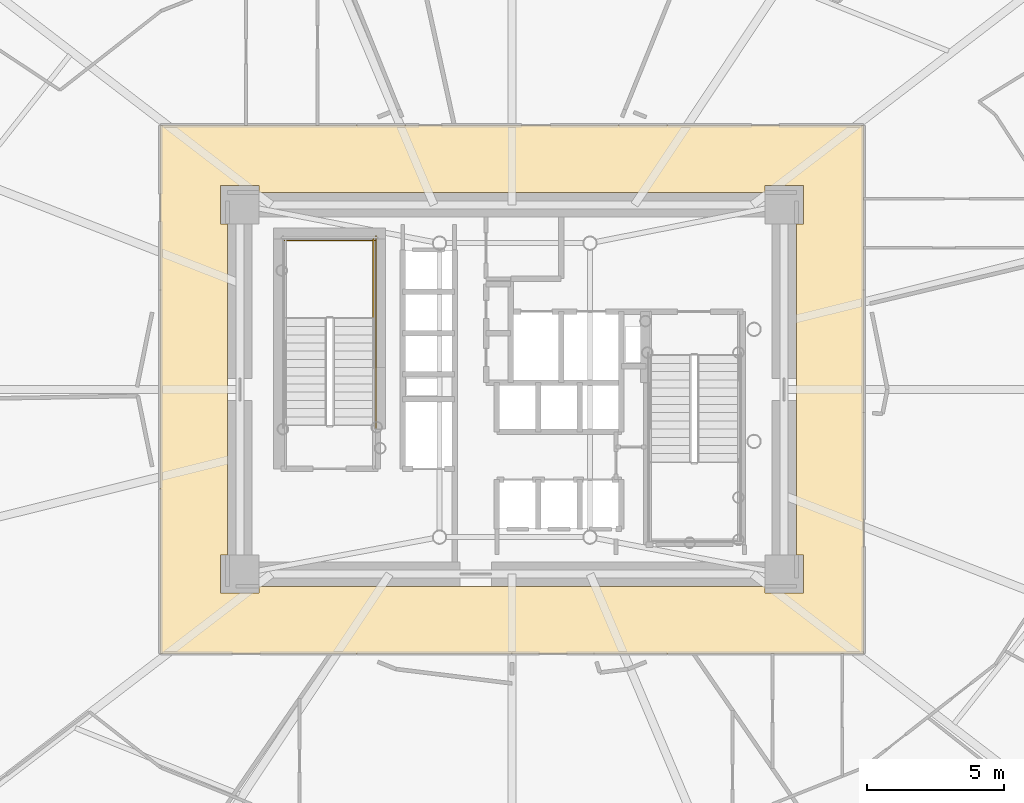
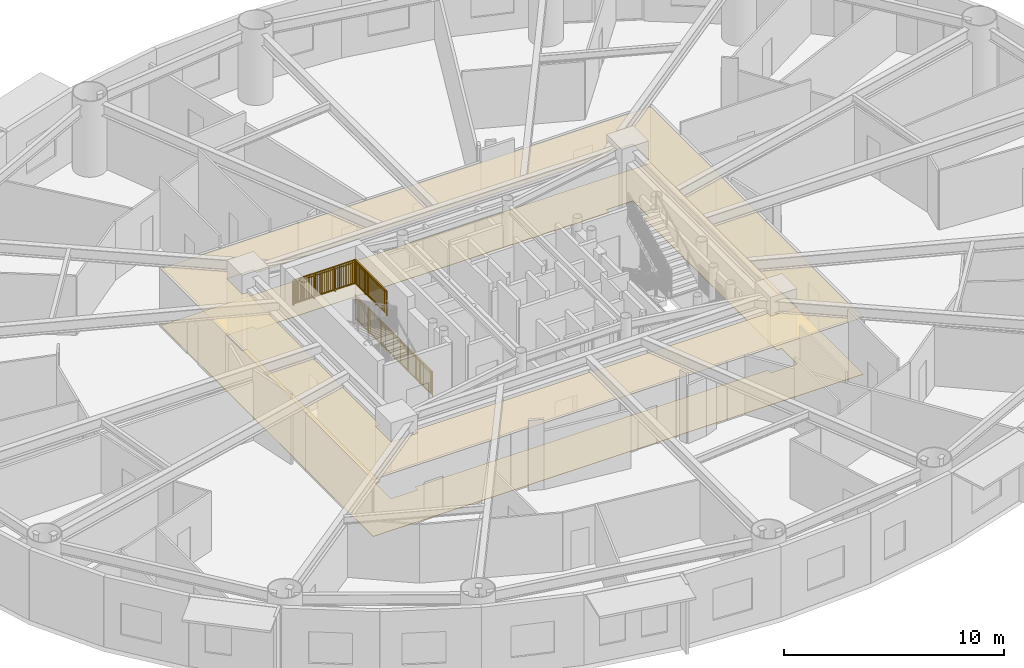
# One storey, part 17 of 21: 3 railings, 2 coverings.
"""IFC4 building model written with IfcOpenShell, lengths in metres."""

from ifc_helpers import new_model, si_unit, direction, frame, origin, origin_2d, place, context, subcontext, project, spatial, polyline, rectangle, outline, extrude, source, transform, mapped, material, layer, layer_set, type_object, element, save


model = new_model("IFC4")

# Units and contexts
model_context = context("Model", 3, precision=1e-05, world=origin(), true_north=direction((0.0, 1.0)))
body_context = subcontext(model_context, "Body", "Model", "MODEL_VIEW")
ifc_project = project(units=[si_unit("LENGTHUNIT", "METRE"), si_unit("AREAUNIT", "SQUARE_METRE"), si_unit("VOLUMEUNIT", "CUBIC_METRE"), si_unit("PLANEANGLEUNIT", "RADIAN"), si_unit("MASSUNIT", "GRAM", prefix="KILO")], contexts=[model_context])

# Site, building, storey
site_placement = place(None, origin())
site = spatial("IfcSite", under=ifc_project, at=site_placement, CompositionType="ELEMENT")
building_placement = place(site_placement, origin())
building = spatial("IfcBuilding", under=site, at=building_placement, Name="Linh Dai School and Residence Tower", CompositionType="ELEMENT")
storey_placement = place(building_placement, frame((0.0, 0.0, 82.800048828125)))
storey = spatial("IfcBuildingStorey", under=building, at=storey_placement, Name="L19", CompositionType="ELEMENT", Elevation=82.800048828125)

# Coverings
ifc_material_1 = material(Name="Mineral Fibre Acoustic Suspended Ceiling", Category="masonry")
ifc_layer_1 = layer(ifc_material_1, 0.02001953125)
ifc_layer_set_1 = layer_set([ifc_layer_1], Name="Mineral Fibre Acoustic Suspended Ceiling")
covering_type_1 = type_object("IfcCoveringType", Name="COV-CEIL-AC-20", PredefinedType="CEILING", material=ifc_layer_set_1)
covering_1_placement = place(storey_placement, frame((0.0, 0.0, 3.14990234375)))
element("IfcCovering", 1, at=covering_1_placement, inside=storey, type_object=covering_type_1, Name="L19 Residential Floor Corridor Suspended Ceiling", PredefinedType="CEILING", context=body_context, shape_type="SweptSolid", body=[
    extrude(outline(polyline([(48.85009765625, 36.64990234375), (48.85009765625, 17.35009765625), (23.14990234375, 17.35009765625), (23.14990234375, 36.64990234375), (48.85009765625, 36.64990234375)]), holes=[polyline([(26.75, 34.199951171875), (26.75, 34.449951171875), (25.35009765625, 34.449951171875), (25.35009765625, 33.050048828125), (25.60009765625, 33.050048828125), (25.60009765625, 20.949951171875), (25.35009765625, 20.949951171875), (25.35009765625, 19.550048828125), (26.75, 19.550048828125), (26.75, 19.800048828125), (45.25, 19.800048828125), (45.25, 19.550048828125), (46.64990234375, 19.550048828125), (46.64990234375, 20.949951171875), (46.39990234375, 20.949951171875), (46.39990234375, 33.050048828125), (46.64990234375, 33.050048828125), (46.64990234375, 34.449951171875), (45.25, 34.449951171875), (45.25, 34.199951171875), (26.75, 34.199951171875)])]), origin(), (0.0, 0.0, 1.0), 0.02001953125),
])
ifc_material_2 = material(Name="Polished Terrazzo Floor Finish", Category="masonry")
ifc_layer_2 = layer(ifc_material_2, 0.02490234375)
ifc_layer_set_2 = layer_set([ifc_layer_2], Name="Polished Terrazzo Floor Finish")
covering_type_2 = type_object("IfcCoveringType", Name="COV-FLR-TRZ-25", PredefinedType="FLOORING", material=ifc_layer_set_2)
covering_2_placement = place(storey_placement, origin())
element("IfcCovering", 2, at=covering_2_placement, inside=storey, type_object=covering_type_2, Name="L19 Residential Floor Corridor Floor Finish", PredefinedType="FLOORING", context=body_context, shape_type="SweptSolid", body=[
    extrude(outline(polyline([(48.85009765625, 36.64990234375), (48.85009765625, 17.35009765625), (23.14990234375, 17.35009765625), (23.14990234375, 36.64990234375), (48.85009765625, 36.64990234375)]), holes=[polyline([(26.75, 34.199951171875), (26.75, 34.449951171875), (25.35009765625, 34.449951171875), (25.35009765625, 33.050048828125), (25.60009765625, 33.050048828125), (25.60009765625, 20.949951171875), (25.35009765625, 20.949951171875), (25.35009765625, 19.550048828125), (26.75, 19.550048828125), (26.75, 19.800048828125), (45.25, 19.800048828125), (45.25, 19.550048828125), (46.64990234375, 19.550048828125), (46.64990234375, 20.949951171875), (46.39990234375, 20.949951171875), (46.39990234375, 33.050048828125), (46.64990234375, 33.050048828125), (46.64990234375, 34.449951171875), (45.25, 34.449951171875), (45.25, 34.199951171875), (26.75, 34.199951171875)])]), origin(), (0.0, 0.0, 1.0), 0.02001953125),
])

# Railings
ifc_material_3 = material(Name="Structural Steel S355JR", Category="steel")
railing_type = type_object("IfcRailingType", Name="RL-ST-GUARD-1400", PredefinedType="GUARDRAIL", material=ifc_material_3)
shared_shape_1 = source(origin(), body_context, "Body", "SweptSolid", [
    extrude(rectangle(XDim=0.048095703125, YDim=0.048095703125, at=origin_2d()), frame((0.0, 0.0, 1.3759765625), z_axis=(-1.0, 0.0, 0.0), x_axis=(0.0, -1.0, 0.0)), (0.0, 0.0, 1.0), 3.300048828125),
    extrude(rectangle(XDim=0.048095703125, YDim=0.048095703125, at=origin_2d()), frame((0.0, 0.0, 0.10009765625), z_axis=(-1.0, 0.0, 0.0), x_axis=(0.0, -1.0, 0.0)), (0.0, 0.0, 1.0), 3.300048828125),
    extrude(rectangle(XDim=0.030029296875, YDim=0.030029296875, at=origin_2d()), frame((0.0, 0.0, 1.239990234375), z_axis=(-1.0, 0.0, 0.0), x_axis=(0.0, -1.0, 0.0)), (0.0, 0.0, 1.0), 3.300048828125),
    extrude(rectangle(XDim=0.02001953125, YDim=0.02001953125, at=origin_2d()), frame((-0.09716796875, 0.0, 0.10009765625)), (0.0, 0.0, 1.0), 1.251708984375),
    extrude(rectangle(XDim=0.02001953125, YDim=0.02001953125, at=origin_2d()), frame((-0.194091796875, 0.0, 0.10009765625)), (0.0, 0.0, 1.0), 1.251708984375),
    extrude(rectangle(XDim=0.02001953125, YDim=0.02001953125, at=origin_2d()), frame((-0.291259765625, 0.0, 0.10009765625)), (0.0, 0.0, 1.0), 1.251708984375),
    extrude(rectangle(XDim=0.02001953125, YDim=0.02001953125, at=origin_2d()), frame((-0.38818359375, 0.0, 0.10009765625)), (0.0, 0.0, 1.0), 1.251708984375),
    extrude(rectangle(XDim=0.02001953125, YDim=0.02001953125, at=origin_2d()), frame((-0.4853515625, 0.0, 0.10009765625)), (0.0, 0.0, 1.0), 1.251708984375),
    extrude(rectangle(XDim=0.02001953125, YDim=0.02001953125, at=origin_2d()), frame((-0.582275390625, 0.0, 0.10009765625)), (0.0, 0.0, 1.0), 1.251708984375),
    extrude(rectangle(XDim=0.02001953125, YDim=0.02001953125, at=origin_2d()), frame((-0.679443359375, 0.0, 0.10009765625)), (0.0, 0.0, 1.0), 1.251708984375),
    extrude(rectangle(XDim=0.02001953125, YDim=0.02001953125, at=origin_2d()), frame((-0.7763671875, 0.0, 0.10009765625)), (0.0, 0.0, 1.0), 1.251708984375),
    extrude(rectangle(XDim=0.02001953125, YDim=0.02001953125, at=origin_2d()), frame((-0.87353515625, 0.0, 0.10009765625)), (0.0, 0.0, 1.0), 1.251708984375),
    extrude(rectangle(XDim=0.02001953125, YDim=0.02001953125, at=origin_2d()), frame((-0.970703125, 0.0, 0.10009765625)), (0.0, 0.0, 1.0), 1.251708984375),
    extrude(rectangle(XDim=0.02001953125, YDim=0.02001953125, at=origin_2d()), frame((-1.164794921875, 0.0, 0.10009765625)), (0.0, 0.0, 1.0), 1.251708984375),
    extrude(rectangle(XDim=0.02001953125, YDim=0.02001953125, at=origin_2d()), frame((-1.26171875, 0.0, 0.10009765625)), (0.0, 0.0, 1.0), 1.251708984375),
    extrude(rectangle(XDim=0.02001953125, YDim=0.02001953125, at=origin_2d()), frame((-1.35888671875, 0.0, 0.10009765625)), (0.0, 0.0, 1.0), 1.251708984375),
    extrude(rectangle(XDim=0.02001953125, YDim=0.02001953125, at=origin_2d()), frame((-1.455810546875, 0.0, 0.10009765625)), (0.0, 0.0, 1.0), 1.251708984375),
    extrude(rectangle(XDim=0.02001953125, YDim=0.02001953125, at=origin_2d()), frame((-1.552978515625, 0.0, 0.10009765625)), (0.0, 0.0, 1.0), 1.251708984375),
    extrude(rectangle(XDim=0.02001953125, YDim=0.02001953125, at=origin_2d()), frame((-1.64990234375, 0.0, 0.10009765625)), (0.0, 0.0, 1.0), 1.251708984375),
    extrude(rectangle(XDim=0.02001953125, YDim=0.02001953125, at=origin_2d()), frame((-1.7470703125, 0.0, 0.10009765625)), (0.0, 0.0, 1.0), 1.251708984375),
    extrude(rectangle(XDim=0.02001953125, YDim=0.02001953125, at=origin_2d()), frame((-1.84423828125, 0.0, 0.10009765625)), (0.0, 0.0, 1.0), 1.251708984375),
    extrude(rectangle(XDim=0.02001953125, YDim=0.02001953125, at=origin_2d()), frame((-1.941162109375, 0.0, 0.10009765625)), (0.0, 0.0, 1.0), 1.251708984375),
    extrude(rectangle(XDim=0.02001953125, YDim=0.02001953125, at=origin_2d()), frame((-2.038330078125, 0.0, 0.10009765625)), (0.0, 0.0, 1.0), 1.251708984375),
    extrude(rectangle(XDim=0.02001953125, YDim=0.02001953125, at=origin_2d()), frame((-2.13525390625, 0.0, 0.10009765625)), (0.0, 0.0, 1.0), 1.251708984375),
    extrude(rectangle(XDim=0.02001953125, YDim=0.02001953125, at=origin_2d()), frame((-2.329345703125, 0.0, 0.10009765625)), (0.0, 0.0, 1.0), 1.251708984375),
    extrude(rectangle(XDim=0.02001953125, YDim=0.02001953125, at=origin_2d()), frame((-2.426513671875, 0.0, 0.10009765625)), (0.0, 0.0, 1.0), 1.251708984375),
    extrude(rectangle(XDim=0.02001953125, YDim=0.02001953125, at=origin_2d()), frame((-2.523681640625, 0.0, 0.10009765625)), (0.0, 0.0, 1.0), 1.251708984375),
    extrude(rectangle(XDim=0.02001953125, YDim=0.02001953125, at=origin_2d()), frame((-2.62060546875, 0.0, 0.10009765625)), (0.0, 0.0, 1.0), 1.251708984375),
    extrude(rectangle(XDim=0.02001953125, YDim=0.02001953125, at=origin_2d()), frame((-2.7177734375, 0.0, 0.10009765625)), (0.0, 0.0, 1.0), 1.251708984375),
    extrude(rectangle(XDim=0.02001953125, YDim=0.02001953125, at=origin_2d()), frame((-2.814697265625, 0.0, 0.10009765625)), (0.0, 0.0, 1.0), 1.251708984375),
    extrude(rectangle(XDim=0.02001953125, YDim=0.02001953125, at=origin_2d()), frame((-2.911865234375, 0.0, 0.10009765625)), (0.0, 0.0, 1.0), 1.251708984375),
    extrude(rectangle(XDim=0.02001953125, YDim=0.02001953125, at=origin_2d()), frame((-3.0087890625, 0.0, 0.10009765625)), (0.0, 0.0, 1.0), 1.251708984375),
    extrude(rectangle(XDim=0.02001953125, YDim=0.02001953125, at=origin_2d()), frame((-3.10595703125, 0.0, 0.10009765625)), (0.0, 0.0, 1.0), 1.251708984375),
    extrude(rectangle(XDim=0.02001953125, YDim=0.02001953125, at=origin_2d()), frame((-3.202880859375, 0.0, 0.10009765625)), (0.0, 0.0, 1.0), 1.251708984375),
    extrude(rectangle(XDim=0.0419921875, YDim=0.0419921875, at=origin_2d()), origin(), (0.0, 0.0, 1.0), 1.3759765625),
    extrude(rectangle(XDim=0.0419921875, YDim=0.0419921875, at=origin_2d()), frame((-1.10009765625, 0.0, 0.0)), (0.0, 0.0, 1.0), 1.3759765625),
    extrude(rectangle(XDim=0.0419921875, YDim=0.0419921875, at=origin_2d()), frame((-2.199951171875, 0.0, 0.0)), (0.0, 0.0, 1.0), 1.3759765625),
    extrude(rectangle(XDim=0.0419921875, YDim=0.0419921875, at=origin_2d()), frame((-3.300048828125, 0.0, 0.0)), (0.0, 0.0, 1.0), 1.3759765625),
])
railing_1_placement = place(storey_placement, frame((30.97998046875, 32.449951171875, 2.099853515625)))
element("IfcRailing", 3, at=railing_1_placement, inside=storey, type_object=railing_type, Name="L19 ST1 stair guard 5", PredefinedType="GUARDRAIL", context=body_context, shape_type="MappedRepresentation", body=[
    mapped(shared_shape_1, transform((0.0, 0.0, 0.0), x_axis=(1.0, 0.0, 0.0), y_axis=(0.0, 1.0, 0.0), z_axis=(0.0, 0.0, 1.0), scale=1.0)),
])
shared_shape_2 = source(origin(), body_context, "Body", "SweptSolid", [
    extrude(rectangle(XDim=0.048095703125, YDim=0.048095703125, at=origin_2d()), frame((0.0, 0.0, 1.3759765625), z_axis=(0.0, 1.0, 0.0), x_axis=(-1.0, 0.0, 0.0)), (0.0, 0.0, 1.0), 7.0),
    extrude(rectangle(XDim=0.048095703125, YDim=0.048095703125, at=origin_2d()), frame((0.0, 0.0, 0.10009765625), z_axis=(0.0, 1.0, 0.0), x_axis=(-1.0, 0.0, 0.0)), (0.0, 0.0, 1.0), 7.0),
    extrude(rectangle(XDim=0.030029296875, YDim=0.030029296875, at=origin_2d()), frame((0.0, 0.0, 1.239990234375), z_axis=(0.0, 1.0, 0.0), x_axis=(-1.0, 0.0, 0.0)), (0.0, 0.0, 1.0), 7.0),
    extrude(rectangle(XDim=0.02001953125, YDim=0.02001953125, at=origin_2d()), frame((0.0, 0.09716796875, 0.10009765625)), (0.0, 0.0, 1.0), 1.251708984375),
    extrude(rectangle(XDim=0.02001953125, YDim=0.02001953125, at=origin_2d()), frame((0.0, 0.1943359375, 0.10009765625)), (0.0, 0.0, 1.0), 1.251708984375),
    extrude(rectangle(XDim=0.02001953125, YDim=0.02001953125, at=origin_2d()), frame((0.0, 0.291748046875, 0.10009765625)), (0.0, 0.0, 1.0), 1.251708984375),
    extrude(rectangle(XDim=0.02001953125, YDim=0.02001953125, at=origin_2d()), frame((0.0, 0.388916015625, 0.10009765625)), (0.0, 0.0, 1.0), 1.251708984375),
    extrude(rectangle(XDim=0.02001953125, YDim=0.02001953125, at=origin_2d()), frame((0.0, 0.486083984375, 0.10009765625)), (0.0, 0.0, 1.0), 1.251708984375),
    extrude(rectangle(XDim=0.02001953125, YDim=0.02001953125, at=origin_2d()), frame((0.0, 0.583251953125, 0.10009765625)), (0.0, 0.0, 1.0), 1.251708984375),
    extrude(rectangle(XDim=0.02001953125, YDim=0.02001953125, at=origin_2d()), frame((0.0, 0.6806640625, 0.10009765625)), (0.0, 0.0, 1.0), 1.251708984375),
    extrude(rectangle(XDim=0.02001953125, YDim=0.02001953125, at=origin_2d()), frame((0.0, 0.77783203125, 0.10009765625)), (0.0, 0.0, 1.0), 1.251708984375),
    extrude(rectangle(XDim=0.02001953125, YDim=0.02001953125, at=origin_2d()), frame((0.0, 0.875, 0.10009765625)), (0.0, 0.0, 1.0), 1.251708984375),
    extrude(rectangle(XDim=0.02001953125, YDim=0.02001953125, at=origin_2d()), frame((0.0, 0.97216796875, 0.10009765625)), (0.0, 0.0, 1.0), 1.251708984375),
    extrude(rectangle(XDim=0.02001953125, YDim=0.02001953125, at=origin_2d()), frame((0.0, 1.0693359375, 0.10009765625)), (0.0, 0.0, 1.0), 1.251708984375),
    extrude(rectangle(XDim=0.02001953125, YDim=0.02001953125, at=origin_2d()), frame((0.0, 1.263916015625, 0.10009765625)), (0.0, 0.0, 1.0), 1.251708984375),
    extrude(rectangle(XDim=0.02001953125, YDim=0.02001953125, at=origin_2d()), frame((0.0, 1.361083984375, 0.10009765625)), (0.0, 0.0, 1.0), 1.251708984375),
    extrude(rectangle(XDim=0.02001953125, YDim=0.02001953125, at=origin_2d()), frame((0.0, 1.458251953125, 0.10009765625)), (0.0, 0.0, 1.0), 1.251708984375),
    extrude(rectangle(XDim=0.02001953125, YDim=0.02001953125, at=origin_2d()), frame((0.0, 1.5556640625, 0.10009765625)), (0.0, 0.0, 1.0), 1.251708984375),
    extrude(rectangle(XDim=0.02001953125, YDim=0.02001953125, at=origin_2d()), frame((0.0, 1.65283203125, 0.10009765625)), (0.0, 0.0, 1.0), 1.251708984375),
    extrude(rectangle(XDim=0.02001953125, YDim=0.02001953125, at=origin_2d()), frame((0.0, 1.75, 0.10009765625)), (0.0, 0.0, 1.0), 1.251708984375),
    extrude(rectangle(XDim=0.02001953125, YDim=0.02001953125, at=origin_2d()), frame((0.0, 1.84716796875, 0.10009765625)), (0.0, 0.0, 1.0), 1.251708984375),
    extrude(rectangle(XDim=0.02001953125, YDim=0.02001953125, at=origin_2d()), frame((0.0, 1.9443359375, 0.10009765625)), (0.0, 0.0, 1.0), 1.251708984375),
    extrude(rectangle(XDim=0.02001953125, YDim=0.02001953125, at=origin_2d()), frame((0.0, 2.041748046875, 0.10009765625)), (0.0, 0.0, 1.0), 1.251708984375),
    extrude(rectangle(XDim=0.02001953125, YDim=0.02001953125, at=origin_2d()), frame((0.0, 2.138916015625, 0.10009765625)), (0.0, 0.0, 1.0), 1.251708984375),
    extrude(rectangle(XDim=0.02001953125, YDim=0.02001953125, at=origin_2d()), frame((0.0, 2.236083984375, 0.10009765625)), (0.0, 0.0, 1.0), 1.251708984375),
    extrude(rectangle(XDim=0.02001953125, YDim=0.02001953125, at=origin_2d()), frame((0.0, 2.4306640625, 0.10009765625)), (0.0, 0.0, 1.0), 1.251708984375),
    extrude(rectangle(XDim=0.02001953125, YDim=0.02001953125, at=origin_2d()), frame((0.0, 2.52783203125, 0.10009765625)), (0.0, 0.0, 1.0), 1.251708984375),
    extrude(rectangle(XDim=0.02001953125, YDim=0.02001953125, at=origin_2d()), frame((0.0, 2.625, 0.10009765625)), (0.0, 0.0, 1.0), 1.251708984375),
    extrude(rectangle(XDim=0.02001953125, YDim=0.02001953125, at=origin_2d()), frame((0.0, 2.72216796875, 0.10009765625)), (0.0, 0.0, 1.0), 1.251708984375),
    extrude(rectangle(XDim=0.02001953125, YDim=0.02001953125, at=origin_2d()), frame((0.0, 2.8193359375, 0.10009765625)), (0.0, 0.0, 1.0), 1.251708984375),
    extrude(rectangle(XDim=0.02001953125, YDim=0.02001953125, at=origin_2d()), frame((0.0, 2.916748046875, 0.10009765625)), (0.0, 0.0, 1.0), 1.251708984375),
    extrude(rectangle(XDim=0.02001953125, YDim=0.02001953125, at=origin_2d()), frame((0.0, 3.013916015625, 0.10009765625)), (0.0, 0.0, 1.0), 1.251708984375),
    extrude(rectangle(XDim=0.02001953125, YDim=0.02001953125, at=origin_2d()), frame((0.0, 3.111083984375, 0.10009765625)), (0.0, 0.0, 1.0), 1.251708984375),
    extrude(rectangle(XDim=0.02001953125, YDim=0.02001953125, at=origin_2d()), frame((0.0, 3.208251953125, 0.10009765625)), (0.0, 0.0, 1.0), 1.251708984375),
    extrude(rectangle(XDim=0.02001953125, YDim=0.02001953125, at=origin_2d()), frame((0.0, 3.3056640625, 0.10009765625)), (0.0, 0.0, 1.0), 1.251708984375),
    extrude(rectangle(XDim=0.02001953125, YDim=0.02001953125, at=origin_2d()), frame((0.0, 3.40283203125, 0.10009765625)), (0.0, 0.0, 1.0), 1.251708984375),
    extrude(rectangle(XDim=0.02001953125, YDim=0.02001953125, at=origin_2d()), frame((0.0, 3.59716796875, 0.10009765625)), (0.0, 0.0, 1.0), 1.251708984375),
    extrude(rectangle(XDim=0.02001953125, YDim=0.02001953125, at=origin_2d()), frame((0.0, 3.6943359375, 0.10009765625)), (0.0, 0.0, 1.0), 1.251708984375),
    extrude(rectangle(XDim=0.02001953125, YDim=0.02001953125, at=origin_2d()), frame((0.0, 3.791748046875, 0.10009765625)), (0.0, 0.0, 1.0), 1.251708984375),
    extrude(rectangle(XDim=0.02001953125, YDim=0.02001953125, at=origin_2d()), frame((0.0, 3.888916015625, 0.10009765625)), (0.0, 0.0, 1.0), 1.251708984375),
    extrude(rectangle(XDim=0.02001953125, YDim=0.02001953125, at=origin_2d()), frame((0.0, 3.986083984375, 0.10009765625)), (0.0, 0.0, 1.0), 1.251708984375),
    extrude(rectangle(XDim=0.02001953125, YDim=0.02001953125, at=origin_2d()), frame((0.0, 4.083251953125, 0.10009765625)), (0.0, 0.0, 1.0), 1.251708984375),
    extrude(rectangle(XDim=0.02001953125, YDim=0.02001953125, at=origin_2d()), frame((0.0, 4.1806640625, 0.10009765625)), (0.0, 0.0, 1.0), 1.251708984375),
    extrude(rectangle(XDim=0.02001953125, YDim=0.02001953125, at=origin_2d()), frame((0.0, 4.27783203125, 0.10009765625)), (0.0, 0.0, 1.0), 1.251708984375),
    extrude(rectangle(XDim=0.02001953125, YDim=0.02001953125, at=origin_2d()), frame((0.0, 4.375, 0.10009765625)), (0.0, 0.0, 1.0), 1.251708984375),
    extrude(rectangle(XDim=0.02001953125, YDim=0.02001953125, at=origin_2d()), frame((0.0, 4.47216796875, 0.10009765625)), (0.0, 0.0, 1.0), 1.251708984375),
    extrude(rectangle(XDim=0.02001953125, YDim=0.02001953125, at=origin_2d()), frame((0.0, 4.5693359375, 0.10009765625)), (0.0, 0.0, 1.0), 1.251708984375),
    extrude(rectangle(XDim=0.02001953125, YDim=0.02001953125, at=origin_2d()), frame((0.0, 4.763916015625, 0.10009765625)), (0.0, 0.0, 1.0), 1.251708984375),
    extrude(rectangle(XDim=0.02001953125, YDim=0.02001953125, at=origin_2d()), frame((0.0, 4.861083984375, 0.10009765625)), (0.0, 0.0, 1.0), 1.251708984375),
    extrude(rectangle(XDim=0.02001953125, YDim=0.02001953125, at=origin_2d()), frame((0.0, 4.958251953125, 0.10009765625)), (0.0, 0.0, 1.0), 1.251708984375),
    extrude(rectangle(XDim=0.02001953125, YDim=0.02001953125, at=origin_2d()), frame((0.0, 5.0556640625, 0.10009765625)), (0.0, 0.0, 1.0), 1.251708984375),
    extrude(rectangle(XDim=0.02001953125, YDim=0.02001953125, at=origin_2d()), frame((0.0, 5.15283203125, 0.10009765625)), (0.0, 0.0, 1.0), 1.251708984375),
    extrude(rectangle(XDim=0.02001953125, YDim=0.02001953125, at=origin_2d()), frame((0.0, 5.25, 0.10009765625)), (0.0, 0.0, 1.0), 1.251708984375),
    extrude(rectangle(XDim=0.02001953125, YDim=0.02001953125, at=origin_2d()), frame((0.0, 5.34716796875, 0.10009765625)), (0.0, 0.0, 1.0), 1.251708984375),
    extrude(rectangle(XDim=0.02001953125, YDim=0.02001953125, at=origin_2d()), frame((0.0, 5.4443359375, 0.10009765625)), (0.0, 0.0, 1.0), 1.251708984375),
    extrude(rectangle(XDim=0.02001953125, YDim=0.02001953125, at=origin_2d()), frame((0.0, 5.541748046875, 0.10009765625)), (0.0, 0.0, 1.0), 1.251708984375),
    extrude(rectangle(XDim=0.02001953125, YDim=0.02001953125, at=origin_2d()), frame((0.0, 5.638916015625, 0.10009765625)), (0.0, 0.0, 1.0), 1.251708984375),
    extrude(rectangle(XDim=0.02001953125, YDim=0.02001953125, at=origin_2d()), frame((0.0, 5.736083984375, 0.10009765625)), (0.0, 0.0, 1.0), 1.251708984375),
    extrude(rectangle(XDim=0.02001953125, YDim=0.02001953125, at=origin_2d()), frame((0.0, 5.9306640625, 0.10009765625)), (0.0, 0.0, 1.0), 1.251708984375),
    extrude(rectangle(XDim=0.02001953125, YDim=0.02001953125, at=origin_2d()), frame((0.0, 6.02783203125, 0.10009765625)), (0.0, 0.0, 1.0), 1.251708984375),
    extrude(rectangle(XDim=0.02001953125, YDim=0.02001953125, at=origin_2d()), frame((0.0, 6.125, 0.10009765625)), (0.0, 0.0, 1.0), 1.251708984375),
    extrude(rectangle(XDim=0.02001953125, YDim=0.02001953125, at=origin_2d()), frame((0.0, 6.22216796875, 0.10009765625)), (0.0, 0.0, 1.0), 1.251708984375),
    extrude(rectangle(XDim=0.02001953125, YDim=0.02001953125, at=origin_2d()), frame((0.0, 6.3193359375, 0.10009765625)), (0.0, 0.0, 1.0), 1.251708984375),
    extrude(rectangle(XDim=0.02001953125, YDim=0.02001953125, at=origin_2d()), frame((0.0, 6.416748046875, 0.10009765625)), (0.0, 0.0, 1.0), 1.251708984375),
    extrude(rectangle(XDim=0.02001953125, YDim=0.02001953125, at=origin_2d()), frame((0.0, 6.513916015625, 0.10009765625)), (0.0, 0.0, 1.0), 1.251708984375),
    extrude(rectangle(XDim=0.02001953125, YDim=0.02001953125, at=origin_2d()), frame((0.0, 6.611083984375, 0.10009765625)), (0.0, 0.0, 1.0), 1.251708984375),
    extrude(rectangle(XDim=0.02001953125, YDim=0.02001953125, at=origin_2d()), frame((0.0, 6.708251953125, 0.10009765625)), (0.0, 0.0, 1.0), 1.251708984375),
    extrude(rectangle(XDim=0.02001953125, YDim=0.02001953125, at=origin_2d()), frame((0.0, 6.8056640625, 0.10009765625)), (0.0, 0.0, 1.0), 1.251708984375),
    extrude(rectangle(XDim=0.02001953125, YDim=0.02001953125, at=origin_2d()), frame((0.0, 6.90283203125, 0.10009765625)), (0.0, 0.0, 1.0), 1.251708984375),
    extrude(rectangle(XDim=0.0419921875, YDim=0.0419921875, at=origin_2d()), origin(), (0.0, 0.0, 1.0), 1.3759765625),
    extrude(rectangle(XDim=0.0419921875, YDim=0.0419921875, at=origin_2d()), frame((0.0, 1.166748046875, 0.0)), (0.0, 0.0, 1.0), 1.3759765625),
    extrude(rectangle(XDim=0.0419921875, YDim=0.0419921875, at=origin_2d()), frame((0.0, 2.333251953125, 0.0)), (0.0, 0.0, 1.0), 1.3759765625),
    extrude(rectangle(XDim=0.0419921875, YDim=0.0419921875, at=origin_2d()), frame((0.0, 3.5, 0.0)), (0.0, 0.0, 1.0), 1.3759765625),
    extrude(rectangle(XDim=0.0419921875, YDim=0.0419921875, at=origin_2d()), frame((0.0, 4.666748046875, 0.0)), (0.0, 0.0, 1.0), 1.3759765625),
    extrude(rectangle(XDim=0.0419921875, YDim=0.0419921875, at=origin_2d()), frame((0.0, 5.833251953125, 0.0)), (0.0, 0.0, 1.0), 1.3759765625),
    extrude(rectangle(XDim=0.0419921875, YDim=0.0419921875, at=origin_2d()), frame((0.0, 7.0, 0.0)), (0.0, 0.0, 1.0), 1.3759765625),
])
railing_2_placement = place(storey_placement, frame((31.030029296875, 25.60009765625, 0.0)))
element("IfcRailing", 4, at=railing_2_placement, inside=storey, type_object=railing_type, Name="L19 ST1 stair guard 10", PredefinedType="GUARDRAIL", context=body_context, shape_type="MappedRepresentation", body=[
    mapped(shared_shape_2, transform((0.0, 0.0, 0.0), x_axis=(1.0, 0.0, 0.0), y_axis=(0.0, 1.0, 0.0), z_axis=(0.0, 0.0, 1.0), scale=1.0)),
])
shared_shape_3 = source(origin(), body_context, "Body", "SweptSolid", [
    extrude(rectangle(XDim=0.048095703125, YDim=0.048095703125, at=origin_2d()), frame((0.0, 0.0, 1.3759765625), z_axis=(0.0, 1.0, 0.0), x_axis=(-1.0, 0.0, 0.0)), (0.0, 0.0, 1.0), 2.89990234375),
    extrude(rectangle(XDim=0.048095703125, YDim=0.048095703125, at=origin_2d()), frame((0.0, 0.0, 0.10009765625), z_axis=(0.0, 1.0, 0.0), x_axis=(-1.0, 0.0, 0.0)), (0.0, 0.0, 1.0), 2.89990234375),
    extrude(rectangle(XDim=0.030029296875, YDim=0.030029296875, at=origin_2d()), frame((0.0, 0.0, 1.239990234375), z_axis=(0.0, 1.0, 0.0), x_axis=(-1.0, 0.0, 0.0)), (0.0, 0.0, 1.0), 2.89990234375),
    extrude(rectangle(XDim=0.02001953125, YDim=0.02001953125, at=origin_2d()), frame((0.0, 0.0966796875, 0.10009765625)), (0.0, 0.0, 1.0), 1.251708984375),
    extrude(rectangle(XDim=0.02001953125, YDim=0.02001953125, at=origin_2d()), frame((0.0, 0.193359375, 0.10009765625)), (0.0, 0.0, 1.0), 1.251708984375),
    extrude(rectangle(XDim=0.02001953125, YDim=0.02001953125, at=origin_2d()), frame((0.0, 0.2900390625, 0.10009765625)), (0.0, 0.0, 1.0), 1.251708984375),
    extrude(rectangle(XDim=0.02001953125, YDim=0.02001953125, at=origin_2d()), frame((0.0, 0.38671875, 0.10009765625)), (0.0, 0.0, 1.0), 1.251708984375),
    extrude(rectangle(XDim=0.02001953125, YDim=0.02001953125, at=origin_2d()), frame((0.0, 0.4833984375, 0.10009765625)), (0.0, 0.0, 1.0), 1.251708984375),
    extrude(rectangle(XDim=0.02001953125, YDim=0.02001953125, at=origin_2d()), frame((0.0, 0.580078125, 0.10009765625)), (0.0, 0.0, 1.0), 1.251708984375),
    extrude(rectangle(XDim=0.02001953125, YDim=0.02001953125, at=origin_2d()), frame((0.0, 0.6767578125, 0.10009765625)), (0.0, 0.0, 1.0), 1.251708984375),
    extrude(rectangle(XDim=0.02001953125, YDim=0.02001953125, at=origin_2d()), frame((0.0, 0.773193359375, 0.10009765625)), (0.0, 0.0, 1.0), 1.251708984375),
    extrude(rectangle(XDim=0.02001953125, YDim=0.02001953125, at=origin_2d()), frame((0.0, 0.869873046875, 0.10009765625)), (0.0, 0.0, 1.0), 1.251708984375),
    extrude(rectangle(XDim=0.02001953125, YDim=0.02001953125, at=origin_2d()), frame((0.0, 1.063232421875, 0.10009765625)), (0.0, 0.0, 1.0), 1.251708984375),
    extrude(rectangle(XDim=0.02001953125, YDim=0.02001953125, at=origin_2d()), frame((0.0, 1.159912109375, 0.10009765625)), (0.0, 0.0, 1.0), 1.251708984375),
    extrude(rectangle(XDim=0.02001953125, YDim=0.02001953125, at=origin_2d()), frame((0.0, 1.256591796875, 0.10009765625)), (0.0, 0.0, 1.0), 1.251708984375),
    extrude(rectangle(XDim=0.02001953125, YDim=0.02001953125, at=origin_2d()), frame((0.0, 1.353271484375, 0.10009765625)), (0.0, 0.0, 1.0), 1.251708984375),
    extrude(rectangle(XDim=0.02001953125, YDim=0.02001953125, at=origin_2d()), frame((0.0, 1.449951171875, 0.10009765625)), (0.0, 0.0, 1.0), 1.251708984375),
    extrude(rectangle(XDim=0.02001953125, YDim=0.02001953125, at=origin_2d()), frame((0.0, 1.546630859375, 0.10009765625)), (0.0, 0.0, 1.0), 1.251708984375),
    extrude(rectangle(XDim=0.02001953125, YDim=0.02001953125, at=origin_2d()), frame((0.0, 1.643310546875, 0.10009765625)), (0.0, 0.0, 1.0), 1.251708984375),
    extrude(rectangle(XDim=0.02001953125, YDim=0.02001953125, at=origin_2d()), frame((0.0, 1.739990234375, 0.10009765625)), (0.0, 0.0, 1.0), 1.251708984375),
    extrude(rectangle(XDim=0.02001953125, YDim=0.02001953125, at=origin_2d()), frame((0.0, 1.836669921875, 0.10009765625)), (0.0, 0.0, 1.0), 1.251708984375),
    extrude(rectangle(XDim=0.02001953125, YDim=0.02001953125, at=origin_2d()), frame((0.0, 2.030029296875, 0.10009765625)), (0.0, 0.0, 1.0), 1.251708984375),
    extrude(rectangle(XDim=0.02001953125, YDim=0.02001953125, at=origin_2d()), frame((0.0, 2.126708984375, 0.10009765625)), (0.0, 0.0, 1.0), 1.251708984375),
    extrude(rectangle(XDim=0.02001953125, YDim=0.02001953125, at=origin_2d()), frame((0.0, 2.22314453125, 0.10009765625)), (0.0, 0.0, 1.0), 1.251708984375),
    extrude(rectangle(XDim=0.02001953125, YDim=0.02001953125, at=origin_2d()), frame((0.0, 2.31982421875, 0.10009765625)), (0.0, 0.0, 1.0), 1.251708984375),
    extrude(rectangle(XDim=0.02001953125, YDim=0.02001953125, at=origin_2d()), frame((0.0, 2.41650390625, 0.10009765625)), (0.0, 0.0, 1.0), 1.251708984375),
    extrude(rectangle(XDim=0.02001953125, YDim=0.02001953125, at=origin_2d()), frame((0.0, 2.51318359375, 0.10009765625)), (0.0, 0.0, 1.0), 1.251708984375),
    extrude(rectangle(XDim=0.02001953125, YDim=0.02001953125, at=origin_2d()), frame((0.0, 2.60986328125, 0.10009765625)), (0.0, 0.0, 1.0), 1.251708984375),
    extrude(rectangle(XDim=0.02001953125, YDim=0.02001953125, at=origin_2d()), frame((0.0, 2.70654296875, 0.10009765625)), (0.0, 0.0, 1.0), 1.251708984375),
    extrude(rectangle(XDim=0.02001953125, YDim=0.02001953125, at=origin_2d()), frame((0.0, 2.80322265625, 0.10009765625)), (0.0, 0.0, 1.0), 1.251708984375),
    extrude(rectangle(XDim=0.0419921875, YDim=0.0419921875, at=origin_2d()), origin(), (0.0, 0.0, 1.0), 1.3759765625),
    extrude(rectangle(XDim=0.0419921875, YDim=0.0419921875, at=origin_2d()), frame((0.0, 0.966552734375, 0.0)), (0.0, 0.0, 1.0), 1.3759765625),
    extrude(rectangle(XDim=0.0419921875, YDim=0.0419921875, at=origin_2d()), frame((0.0, 1.933349609375, 0.0)), (0.0, 0.0, 1.0), 1.3759765625),
    extrude(rectangle(XDim=0.0419921875, YDim=0.0419921875, at=origin_2d()), frame((0.0, 2.89990234375, 0.0)), (0.0, 0.0, 1.0), 1.3759765625),
])
railing_3_placement = place(storey_placement, frame((30.929931640625, 29.60009765625, 2.099853515625)))
element("IfcRailing", 5, at=railing_3_placement, inside=storey, type_object=railing_type, Name="L19 ST1 stair guard 3", PredefinedType="GUARDRAIL", context=body_context, shape_type="MappedRepresentation", body=[
    mapped(shared_shape_3, transform((0.0, 0.0, 0.0), x_axis=(1.0, 0.0, 0.0), y_axis=(0.0, 1.0, 0.0), z_axis=(0.0, 0.0, 1.0), scale=1.0)),
])

save(model, "model.ifc")
